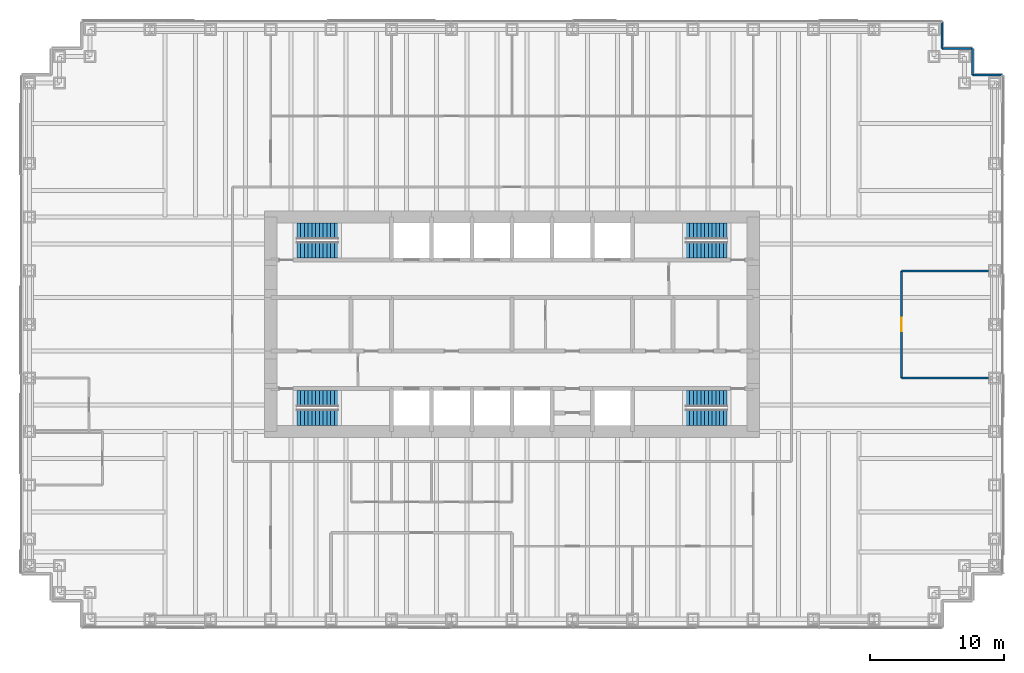
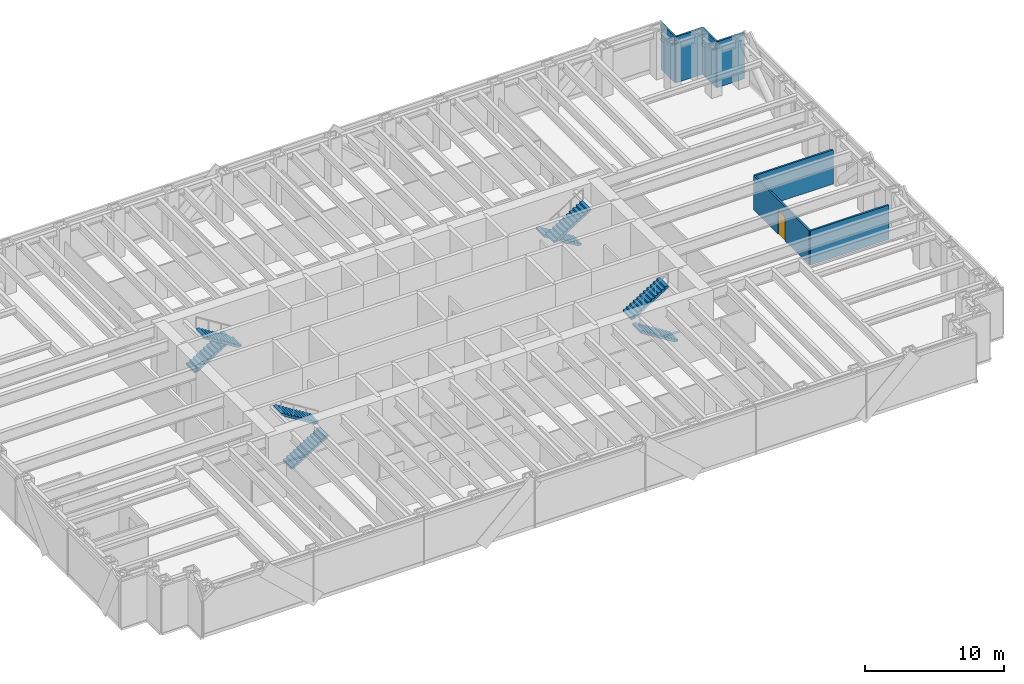
# One storey, part 14 of 15: 8 stair flights, 7 walls, 1 door, 1 opening, 4 elements without a shape of their own.
"""IFC4 building model written with IfcOpenShell, lengths in metres."""

from ifc_helpers import new_model, si_unit, direction, frame, frame_2d, origin, place, context, subcontext, project, spatial, polyline, rectangle, outline, extrude, material, layer, layer_set, type_object, element, fill, aggregate, save


model = new_model("IFC4")

# Units and contexts
model_context = context("Model", 3, precision=1e-05, world=origin(), true_north=direction((0.0, 1.0)))
body_context = subcontext(model_context, "Body", "Model", "MODEL_VIEW")
ifc_project = project(units=[si_unit("LENGTHUNIT", "METRE"), si_unit("AREAUNIT", "SQUARE_METRE"), si_unit("VOLUMEUNIT", "CUBIC_METRE"), si_unit("PLANEANGLEUNIT", "RADIAN"), si_unit("MASSUNIT", "GRAM", prefix="KILO")], contexts=[model_context])

# Site, building, storey
site_placement = place(None, origin())
site = spatial("IfcSite", under=ifc_project, at=site_placement, CompositionType="ELEMENT")
building_placement = place(site_placement, origin())
building = spatial("IfcBuilding", under=site, at=building_placement, Name="Rheinbord Bourse Tower", CompositionType="ELEMENT")
storey_placement = place(building_placement, frame((0.0, 0.0, 117.300048828125)))
storey = spatial("IfcBuildingStorey", under=building, at=storey_placement, Name="L25", CompositionType="ELEMENT", Elevation=117.300048828125)

# Walls
ifc_material_1 = material(Name="Black metal rainscreen panel", Category="aluminium")
ifc_layer_1 = layer(ifc_material_1, 0.14990234375)
ifc_layer_set_1 = layer_set([ifc_layer_1], Name="CORNER PIER CLADDING 150")
wall_type_1 = type_object("IfcWallType", Name="CORNER PIER CLADDING 150", PredefinedType="ELEMENTEDWALL", material=ifc_layer_set_1)
wall_1_placement = place(storey_placement, frame((72.60009765625, 42.60009765625, 0.0), z_axis=(0.0, 0.0, 1.0), x_axis=(-1.0, 0.0, 0.0)))
element("IfcWall", 1, at=wall_1_placement, inside=storey, type_object=wall_type_1, Name="Corner pier cladding L25 7", PredefinedType="ELEMENTEDWALL", context=body_context, shape_type="SweptSolid", body=[
    extrude(rectangle(XDim=2.25, YDim=0.14990234375, at=frame_2d((1.125, 0.0))), origin(), (0.0, 0.0, 1.0), 4.0400390625),
])
wall_2_placement = place(storey_placement, frame((70.35009765625, 42.60009765625, 0.0), z_axis=(0.0, 0.0, 1.0), x_axis=(0.0, 1.0, 0.0)))
element("IfcWall", 2, at=wall_2_placement, inside=storey, type_object=wall_type_1, Name="Corner pier cladding L25 8", PredefinedType="ELEMENTEDWALL", context=body_context, shape_type="SweptSolid", body=[
    extrude(rectangle(XDim=2.0, YDim=0.14990234375, at=frame_2d((1.0, 0.0))), origin(), (0.0, 0.0, 1.0), 4.0400390625),
])
wall_3_placement = place(storey_placement, frame((70.35009765625, 44.60009765625, 0.0), z_axis=(0.0, 0.0, 1.0), x_axis=(-1.0, 0.0, 0.0)))
element("IfcWall", 3, at=wall_3_placement, inside=storey, type_object=wall_type_1, Name="Corner pier cladding L25 9", PredefinedType="ELEMENTEDWALL", context=body_context, shape_type="SweptSolid", body=[
    extrude(rectangle(XDim=2.25, YDim=0.14990234375, at=frame_2d((1.125, 0.0))), origin(), (0.0, 0.0, 1.0), 4.0400390625),
])
wall_4_placement = place(storey_placement, frame((68.10009765625, 44.60009765625, 0.0), z_axis=(0.0, 0.0, 1.0), x_axis=(0.0, 1.0, 0.0)))
element("IfcWall", 4, at=wall_4_placement, inside=storey, type_object=wall_type_1, Name="Corner pier cladding L25 10", PredefinedType="ELEMENTEDWALL", context=body_context, shape_type="SweptSolid", body=[
    extrude(rectangle(XDim=2.0, YDim=0.14990234375, at=frame_2d((1.0, 0.0))), origin(), (0.0, 0.0, 1.0), 4.0400390625),
])
ifc_material_2 = material(Name="Gypsum board partition", Category="gypsum board")
ifc_layer_2 = layer(ifc_material_2, 0.14990234375)
ifc_layer_set_2 = layer_set([ifc_layer_2], Name="PARTITION 150")
wall_type_2 = type_object("IfcWallType", Name="PARTITION 150", PredefinedType="PARTITIONING", material=ifc_layer_set_2)
for number, where, z_axis, x_axis, name in (
    (5, (65.050048828125, 20.0, 0.0), (0.0, 0.0, 1.0), (1.0, 0.0, 0.0), "Partition L25-08"),
    (6, (65.050048828125, 28.0, 0.0), (0.0, 0.0, 1.0), (1.0, 0.0, 0.0), "Partition L25-09"),
):
    element("IfcWall", number, at=place(storey_placement, frame(where, z_axis=z_axis, x_axis=x_axis)), inside=storey, type_object=wall_type_2, Name=name, PredefinedType="PARTITIONING", context=body_context, shape_type="SweptSolid", body=[
        extrude(rectangle(XDim=6.5, YDim=0.14990234375, at=frame_2d((3.25, 0.0))), origin(), (0.0, 0.0, 1.0), 3.0),
    ])

# Wall, opening, door
wall_5_placement = place(storey_placement, frame((65.050048828125, 20.0, 0.0), z_axis=(0.0, 0.0, 1.0), x_axis=(0.0, 1.0, 0.0)))
wall_5 = element("IfcWall", 7, at=wall_5_placement, inside=storey, type_object=wall_type_2, Name="Partition L25-31", PredefinedType="PARTITIONING", context=body_context, shape_type="SweptSolid", body=[
    extrude(rectangle(XDim=8.0, YDim=0.14990234375, at=frame_2d((4.0, 0.0))), origin(), (0.0, 0.0, 1.0), 3.0),
])
opening_placement = place(wall_5_placement, frame((3.5, 0.0, 0.0)))
opening = element("IfcOpeningElement", 8, at=opening_placement, cuts=wall_5, Name="Opening 25D10", PredefinedType="OPENING", context=body_context, shape_type="SweptSolid", body=[
    extrude(rectangle(XDim=1.0, YDim=2.10009765625, at=frame_2d((0.5, 1.050048828125))), frame((0.0, 0.0849609375, 0.0), z_axis=(0.0, -1.0, 0.0), x_axis=(1.0, 0.0, 0.0)), (0.0, 0.0, 1.0), 0.169921875),
])
ifc_material_3 = material(Name="Timber door", Category="wood")
door_type = type_object("IfcDoorType", Name="ROOM DOOR 1000", OperationType="SINGLE_SWING_LEFT", PredefinedType="DOOR", material=ifc_material_3)
door_placement = place(opening_placement, origin())
door = element("IfcDoor", 9, at=door_placement, inside=storey, type_object=door_type, Name="Kitchen door L25", OperationType="SINGLE_SWING_LEFT", OverallHeight=2.10009765625, OverallWidth=1.0, PredefinedType="DOOR", context=body_context, shape_type="SweptSolid", body=[
    extrude(rectangle(XDim=1.0, YDim=2.10009765625, at=frame_2d((0.5, 1.050048828125))), frame((0.0, 0.02490234375, 0.0), z_axis=(0.0, -1.0, 0.0), x_axis=(1.0, 0.0, 0.0)), (0.0, 0.0, 1.0), 0.050048828125),
])
fill(opening, door)

# Stair, stair flights
ifc_material_4 = material(Name="Concrete C30/37", Category="concrete")
stair_type = type_object("IfcStairType", Name="CORE STAIR HALF TURN 4200", PredefinedType="HALF_TURN_STAIR", material=ifc_material_4)
stair_1_placement = place(storey_placement, origin())
stair_1 = element("IfcStair", 10, at=stair_1_placement, inside=storey, type_object=stair_type, Name="Stair ST1 L25, type CS6", PredefinedType="HALF_TURN_STAIR")
ifc_material_5 = material(Name="Concrete C30/37", Category="concrete")
stair_flight_type = type_object("IfcStairFlightType", Name="CORE STAIR FLIGHT 1200, 12 RISERS", PredefinedType="STRAIGHT", material=ifc_material_5)
stair_flight_1_placement = place(storey_placement, frame((19.949951171875, 17.050048828125, 0.0), z_axis=(0.0, 0.0, 1.0), x_axis=(1.0, 0.0, 0.0)))
stair_flight_1 = element("IfcStairFlight", 11, at=stair_flight_1_placement, type_object=stair_flight_type, Name="STAIR L25 ST1 F1", NumberOfRisers=12, NumberOfTreads=11, PredefinedType="STRAIGHT", RiserHeight=0.175, TreadLength=0.28, context=body_context, shape_type="SweptSolid", body=[
    extrude(outline(polyline([(0.0, 0.0), (0.0, 0.175048828125), (0.280029296875, 0.175048828125), (0.280029296875, 0.35009765625), (0.56005859375, 0.35009765625), (0.56005859375, 0.52490234375), (0.840087890625, 0.52490234375), (0.840087890625, 0.699951171875), (1.1201171875, 0.699951171875), (1.1201171875, 0.875), (1.39990234375, 0.875), (1.39990234375, 1.050048828125), (1.679931640625, 1.050048828125), (1.679931640625, 1.22509765625), (1.9599609375, 1.22509765625), (1.9599609375, 1.39990234375), (2.239990234375, 1.39990234375), (2.239990234375, 1.574951171875), (2.52001953125, 1.574951171875), (2.52001953125, 1.75), (2.800048828125, 1.75), (2.800048828125, 1.925048828125), (3.080078125, 1.925048828125), (3.080078125, 2.10009765625), (3.080078125, 1.748291015625), (0.28271484375, 0.0), (0.0, 0.0)])), frame((0.0, 0.60009765625, 0.0), z_axis=(0.0, -1.0, 0.0), x_axis=(1.0, 0.0, 0.0)), (0.0, 0.0, 1.0), 1.199951171875),
])
stair_flight_2_placement = place(storey_placement, frame((23.030029296875, 18.449951171875, 2.099853515625), z_axis=(0.0, 0.0, 1.0), x_axis=(-1.0, 0.0, 0.0)))
stair_flight_2 = element("IfcStairFlight", 12, at=stair_flight_2_placement, type_object=stair_flight_type, Name="STAIR L25 ST1 F2", NumberOfRisers=12, NumberOfTreads=11, PredefinedType="STRAIGHT", RiserHeight=0.175, TreadLength=0.28, context=body_context, shape_type="SweptSolid", body=[
    extrude(outline(polyline([(0.0, 0.0), (0.0, 0.175048828125), (0.280029296875, 0.175048828125), (0.280029296875, 0.35009765625), (0.56005859375, 0.35009765625), (0.56005859375, 0.52490234375), (0.840087890625, 0.52490234375), (0.840087890625, 0.699951171875), (1.1201171875, 0.699951171875), (1.1201171875, 0.875), (1.39990234375, 0.875), (1.39990234375, 1.050048828125), (1.679931640625, 1.050048828125), (1.679931640625, 1.22509765625), (1.9599609375, 1.22509765625), (1.9599609375, 1.39990234375), (2.239990234375, 1.39990234375), (2.239990234375, 1.574951171875), (2.52001953125, 1.574951171875), (2.52001953125, 1.75), (2.800048828125, 1.75), (2.800048828125, 1.925048828125), (3.080078125, 1.925048828125), (3.080078125, 2.10009765625), (3.080078125, 1.748291015625), (0.28271484375, 0.0), (0.0, 0.0)])), frame((0.0, 0.60009765625, 0.0), z_axis=(0.0, -1.0, 0.0), x_axis=(1.0, 0.0, 0.0)), (0.0, 0.0, 1.0), 1.199951171875),
])
aggregate(stair_1, [stair_flight_1, stair_flight_2])

stair_2_placement = place(storey_placement, origin())
stair_2 = element("IfcStair", 13, at=stair_2_placement, inside=storey, type_object=stair_type, Name="Stair ST2 L25, type CS6", PredefinedType="HALF_TURN_STAIR")
stair_flight_3_placement = place(storey_placement, frame((19.949951171875, 30.949951171875, 0.0), z_axis=(0.0, 0.0, 1.0), x_axis=(1.0, 0.0, 0.0)))
stair_flight_3 = element("IfcStairFlight", 14, at=stair_flight_3_placement, type_object=stair_flight_type, Name="STAIR L25 ST2 F1", NumberOfRisers=12, NumberOfTreads=11, PredefinedType="STRAIGHT", RiserHeight=0.175, TreadLength=0.28, context=body_context, shape_type="SweptSolid", body=[
    extrude(outline(polyline([(0.0, 0.0), (0.0, 0.175048828125), (0.280029296875, 0.175048828125), (0.280029296875, 0.35009765625), (0.56005859375, 0.35009765625), (0.56005859375, 0.52490234375), (0.840087890625, 0.52490234375), (0.840087890625, 0.699951171875), (1.1201171875, 0.699951171875), (1.1201171875, 0.875), (1.39990234375, 0.875), (1.39990234375, 1.050048828125), (1.679931640625, 1.050048828125), (1.679931640625, 1.22509765625), (1.9599609375, 1.22509765625), (1.9599609375, 1.39990234375), (2.239990234375, 1.39990234375), (2.239990234375, 1.574951171875), (2.52001953125, 1.574951171875), (2.52001953125, 1.75), (2.800048828125, 1.75), (2.800048828125, 1.925048828125), (3.080078125, 1.925048828125), (3.080078125, 2.10009765625), (3.080078125, 1.748291015625), (0.28271484375, 0.0), (0.0, 0.0)])), frame((0.0, 0.60009765625, 0.0), z_axis=(0.0, -1.0, 0.0), x_axis=(1.0, 0.0, 0.0)), (0.0, 0.0, 1.0), 1.199951171875),
])
stair_flight_4_placement = place(storey_placement, frame((23.030029296875, 29.550048828125, 2.099853515625), z_axis=(0.0, 0.0, 1.0), x_axis=(-1.0, 0.0, 0.0)))
stair_flight_4 = element("IfcStairFlight", 15, at=stair_flight_4_placement, type_object=stair_flight_type, Name="STAIR L25 ST2 F2", NumberOfRisers=12, NumberOfTreads=11, PredefinedType="STRAIGHT", RiserHeight=0.175, TreadLength=0.28, context=body_context, shape_type="SweptSolid", body=[
    extrude(outline(polyline([(0.0, 0.0), (0.0, 0.175048828125), (0.280029296875, 0.175048828125), (0.280029296875, 0.35009765625), (0.56005859375, 0.35009765625), (0.56005859375, 0.52490234375), (0.840087890625, 0.52490234375), (0.840087890625, 0.699951171875), (1.1201171875, 0.699951171875), (1.1201171875, 0.875), (1.39990234375, 0.875), (1.39990234375, 1.050048828125), (1.679931640625, 1.050048828125), (1.679931640625, 1.22509765625), (1.9599609375, 1.22509765625), (1.9599609375, 1.39990234375), (2.239990234375, 1.39990234375), (2.239990234375, 1.574951171875), (2.52001953125, 1.574951171875), (2.52001953125, 1.75), (2.800048828125, 1.75), (2.800048828125, 1.925048828125), (3.080078125, 1.925048828125), (3.080078125, 2.10009765625), (3.080078125, 1.748291015625), (0.28271484375, 0.0), (0.0, 0.0)])), frame((0.0, 0.60009765625, 0.0), z_axis=(0.0, -1.0, 0.0), x_axis=(1.0, 0.0, 0.0)), (0.0, 0.0, 1.0), 1.199951171875),
])
aggregate(stair_2, [stair_flight_3, stair_flight_4])

stair_3_placement = place(storey_placement, origin())
stair_3 = element("IfcStair", 16, at=stair_3_placement, inside=storey, type_object=stair_type, Name="Stair ST3 L25, type CS6", PredefinedType="HALF_TURN_STAIR")
stair_flight_5_placement = place(storey_placement, frame((52.050048828125, 17.050048828125, 0.0), z_axis=(0.0, 0.0, 1.0), x_axis=(-1.0, 0.0, 0.0)))
stair_flight_5 = element("IfcStairFlight", 17, at=stair_flight_5_placement, type_object=stair_flight_type, Name="STAIR L25 ST3 F1", NumberOfRisers=12, NumberOfTreads=11, PredefinedType="STRAIGHT", RiserHeight=0.175, TreadLength=0.28, context=body_context, shape_type="SweptSolid", body=[
    extrude(outline(polyline([(0.0, 0.0), (0.0, 0.175048828125), (0.280029296875, 0.175048828125), (0.280029296875, 0.35009765625), (0.56005859375, 0.35009765625), (0.56005859375, 0.52490234375), (0.840087890625, 0.52490234375), (0.840087890625, 0.699951171875), (1.1201171875, 0.699951171875), (1.1201171875, 0.875), (1.39990234375, 0.875), (1.39990234375, 1.050048828125), (1.679931640625, 1.050048828125), (1.679931640625, 1.22509765625), (1.9599609375, 1.22509765625), (1.9599609375, 1.39990234375), (2.239990234375, 1.39990234375), (2.239990234375, 1.574951171875), (2.52001953125, 1.574951171875), (2.52001953125, 1.75), (2.800048828125, 1.75), (2.800048828125, 1.925048828125), (3.080078125, 1.925048828125), (3.080078125, 2.10009765625), (3.080078125, 1.748291015625), (0.28271484375, 0.0), (0.0, 0.0)])), frame((0.0, 0.60009765625, 0.0), z_axis=(0.0, -1.0, 0.0), x_axis=(1.0, 0.0, 0.0)), (0.0, 0.0, 1.0), 1.199951171875),
])
stair_flight_6_placement = place(storey_placement, frame((48.969970703125, 18.449951171875, 2.099853515625), z_axis=(0.0, 0.0, 1.0), x_axis=(1.0, 0.0, 0.0)))
stair_flight_6 = element("IfcStairFlight", 18, at=stair_flight_6_placement, type_object=stair_flight_type, Name="STAIR L25 ST3 F2", NumberOfRisers=12, NumberOfTreads=11, PredefinedType="STRAIGHT", RiserHeight=0.175, TreadLength=0.28, context=body_context, shape_type="SweptSolid", body=[
    extrude(outline(polyline([(0.0, 0.0), (0.0, 0.175048828125), (0.280029296875, 0.175048828125), (0.280029296875, 0.35009765625), (0.56005859375, 0.35009765625), (0.56005859375, 0.52490234375), (0.840087890625, 0.52490234375), (0.840087890625, 0.699951171875), (1.1201171875, 0.699951171875), (1.1201171875, 0.875), (1.39990234375, 0.875), (1.39990234375, 1.050048828125), (1.679931640625, 1.050048828125), (1.679931640625, 1.22509765625), (1.9599609375, 1.22509765625), (1.9599609375, 1.39990234375), (2.239990234375, 1.39990234375), (2.239990234375, 1.574951171875), (2.52001953125, 1.574951171875), (2.52001953125, 1.75), (2.800048828125, 1.75), (2.800048828125, 1.925048828125), (3.080078125, 1.925048828125), (3.080078125, 2.10009765625), (3.080078125, 1.748291015625), (0.28271484375, 0.0), (0.0, 0.0)])), frame((0.0, 0.60009765625, 0.0), z_axis=(0.0, -1.0, 0.0), x_axis=(1.0, 0.0, 0.0)), (0.0, 0.0, 1.0), 1.199951171875),
])
aggregate(stair_3, [stair_flight_5, stair_flight_6])

stair_4_placement = place(storey_placement, origin())
stair_4 = element("IfcStair", 19, at=stair_4_placement, inside=storey, type_object=stair_type, Name="Stair ST4 L25, type CS6", PredefinedType="HALF_TURN_STAIR")
stair_flight_7_placement = place(storey_placement, frame((52.050048828125, 30.949951171875, 0.0), z_axis=(0.0, 0.0, 1.0), x_axis=(-1.0, 0.0, 0.0)))
stair_flight_7 = element("IfcStairFlight", 20, at=stair_flight_7_placement, type_object=stair_flight_type, Name="STAIR L25 ST4 F1", NumberOfRisers=12, NumberOfTreads=11, PredefinedType="STRAIGHT", RiserHeight=0.175, TreadLength=0.28, context=body_context, shape_type="SweptSolid", body=[
    extrude(outline(polyline([(0.0, 0.0), (0.0, 0.175048828125), (0.280029296875, 0.175048828125), (0.280029296875, 0.35009765625), (0.56005859375, 0.35009765625), (0.56005859375, 0.52490234375), (0.840087890625, 0.52490234375), (0.840087890625, 0.699951171875), (1.1201171875, 0.699951171875), (1.1201171875, 0.875), (1.39990234375, 0.875), (1.39990234375, 1.050048828125), (1.679931640625, 1.050048828125), (1.679931640625, 1.22509765625), (1.9599609375, 1.22509765625), (1.9599609375, 1.39990234375), (2.239990234375, 1.39990234375), (2.239990234375, 1.574951171875), (2.52001953125, 1.574951171875), (2.52001953125, 1.75), (2.800048828125, 1.75), (2.800048828125, 1.925048828125), (3.080078125, 1.925048828125), (3.080078125, 2.10009765625), (3.080078125, 1.748291015625), (0.28271484375, 0.0), (0.0, 0.0)])), frame((0.0, 0.60009765625, 0.0), z_axis=(0.0, -1.0, 0.0), x_axis=(1.0, 0.0, 0.0)), (0.0, 0.0, 1.0), 1.199951171875),
])
stair_flight_8_placement = place(storey_placement, frame((48.969970703125, 29.550048828125, 2.099853515625), z_axis=(0.0, 0.0, 1.0), x_axis=(1.0, 0.0, 0.0)))
stair_flight_8 = element("IfcStairFlight", 21, at=stair_flight_8_placement, type_object=stair_flight_type, Name="STAIR L25 ST4 F2", NumberOfRisers=12, NumberOfTreads=11, PredefinedType="STRAIGHT", RiserHeight=0.175, TreadLength=0.28, context=body_context, shape_type="SweptSolid", body=[
    extrude(outline(polyline([(0.0, 0.0), (0.0, 0.175048828125), (0.280029296875, 0.175048828125), (0.280029296875, 0.35009765625), (0.56005859375, 0.35009765625), (0.56005859375, 0.52490234375), (0.840087890625, 0.52490234375), (0.840087890625, 0.699951171875), (1.1201171875, 0.699951171875), (1.1201171875, 0.875), (1.39990234375, 0.875), (1.39990234375, 1.050048828125), (1.679931640625, 1.050048828125), (1.679931640625, 1.22509765625), (1.9599609375, 1.22509765625), (1.9599609375, 1.39990234375), (2.239990234375, 1.39990234375), (2.239990234375, 1.574951171875), (2.52001953125, 1.574951171875), (2.52001953125, 1.75), (2.800048828125, 1.75), (2.800048828125, 1.925048828125), (3.080078125, 1.925048828125), (3.080078125, 2.10009765625), (3.080078125, 1.748291015625), (0.28271484375, 0.0), (0.0, 0.0)])), frame((0.0, 0.60009765625, 0.0), z_axis=(0.0, -1.0, 0.0), x_axis=(1.0, 0.0, 0.0)), (0.0, 0.0, 1.0), 1.199951171875),
])
aggregate(stair_4, [stair_flight_7, stair_flight_8])

save(model, "model.ifc")
